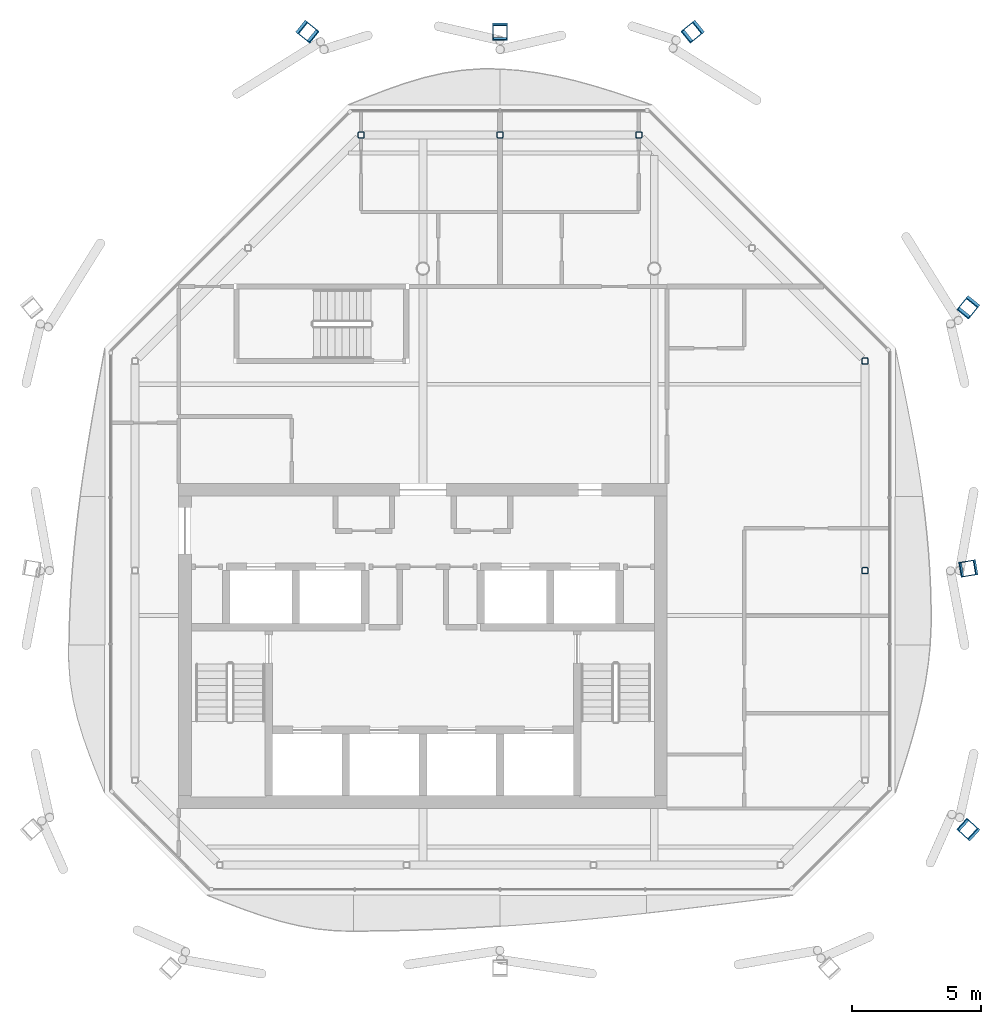
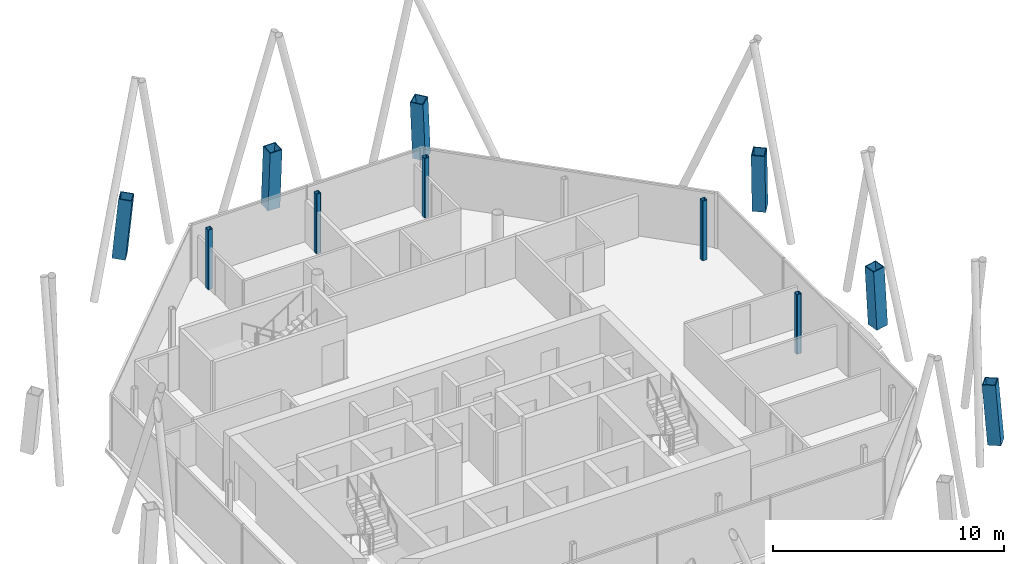
# One storey, part 2 of 14: 11 columns.
"""IFC4 building model written with IfcOpenShell, lengths in metres."""

from ifc_helpers import new_model, si_unit, direction, frame, origin, origin_2d, place, context, subcontext, project, spatial, hollow_rectangle, extrude, material, material_profile, profile_set, type_object, element, save


model = new_model("IFC4")

# Units and contexts
model_context = context("Model", 3, precision=1e-05, world=origin(), true_north=direction((0.0, 1.0)))
body_context = subcontext(model_context, "Body", "Model", "MODEL_VIEW")
ifc_project = project(units=[si_unit("LENGTHUNIT", "METRE"), si_unit("AREAUNIT", "SQUARE_METRE"), si_unit("VOLUMEUNIT", "CUBIC_METRE"), si_unit("PLANEANGLEUNIT", "RADIAN"), si_unit("MASSUNIT", "GRAM", prefix="KILO")], contexts=[model_context])

# Site, building, storey
site_placement = place(None, origin())
site = spatial("IfcSite", under=ifc_project, at=site_placement, CompositionType="ELEMENT")
building_placement = place(site_placement, origin())
building = spatial("IfcBuilding", under=site, at=building_placement, Name="Tskaro Facet Tower", CompositionType="ELEMENT")
storey_placement = place(building_placement, frame((0.0, 0.0, 287.85009765625)))
storey = spatial("IfcBuildingStorey", under=building, at=storey_placement, Name="L77", CompositionType="ELEMENT", Elevation=287.85009765625)

# Columns
ifc_material_1 = material(Name="Steel S355J2", Category="steel")
ifc_material_profile_1 = material_profile(ifc_material_1, hollow_rectangle(XDim=0.60009765625, YDim=0.60009765625, WallThickness=0.0400390625, at=origin_2d()), Name="BOX 600x600x40")
ifc_profile_set_1 = profile_set([ifc_material_profile_1], Name="Steel S355J2")
column_type_1 = type_object("IfcColumnType", Name="BOX 600x600x40 mega column", PredefinedType="COLUMN", material=ifc_profile_set_1)
column_1_placement = place(storey_placement, frame((21.25, -12.85400390625, 0.0), z_axis=(-0.057952390446, 0.052543500671, 0.996935655385), x_axis=(-0.671688891833, -0.74083333658, 0.0)))
element("IfcColumn", 1, at=column_1_placement, inside=storey, type_object=column_type_1, Name="BOX 600x600x40 MC04/6", PredefinedType="COLUMN", context=body_context, shape_type="SweptSolid", body=[
    extrude(hollow_rectangle(XDim=0.60009765625, YDim=0.60009765625, WallThickness=0.0400390625, at=origin_2d()), origin(), (0.0, 0.0, 1.0), 3.15966796875),
])
column_2_placement = place(storey_placement, frame((21.25, -2.659912109375, 0.0), z_axis=(-0.058029926409, -0.009516907931, 0.998269480704), x_axis=(0.161838042552, -0.986817332632, 0.0)))
element("IfcColumn", 2, at=column_2_placement, inside=storey, type_object=column_type_1, Name="BOX 600x600x40 MC05/6", PredefinedType="COLUMN", context=body_context, shape_type="SweptSolid", body=[
    extrude(hollow_rectangle(XDim=0.60009765625, YDim=0.60009765625, WallThickness=0.0400390625, at=origin_2d()), origin(), (0.0, 0.0, 1.0), 3.1552734375),
])
for number, where, z_axis, x_axis, name in (
    (3, (21.25, 7.533935546875, 0.0), (-0.057882880729, -0.071774772104, 0.99573990289), (0.778413039475, -0.62775245119, 0.0), "BOX 600x600x40 MC06/6"),
    (4, (10.533935546875, 18.25, 0.0), (-0.071774772104, -0.057882880729, 0.99573990289), (0.62775245119, -0.778413039475, 0.0), "BOX 600x600x40 MC07/6"),
):
    element("IfcColumn", number, at=place(storey_placement, frame(where, z_axis=z_axis, x_axis=x_axis)), inside=storey, type_object=column_type_1, Name=name, PredefinedType="COLUMN", context=body_context, shape_type="SweptSolid", body=[
        extrude(hollow_rectangle(XDim=0.60009765625, YDim=0.60009765625, WallThickness=0.0400390625, at=origin_2d()), origin(), (0.0, 0.0, 1.0), 3.163330078125),
    ])
column_3_placement = place(storey_placement, frame((3.0, 18.25, 0.0), z_axis=(0.0, -0.058032554517, 0.998314691175), x_axis=(1.0, 0.0, 0.0)))
element("IfcColumn", 5, at=column_3_placement, inside=storey, type_object=column_type_1, Name="BOX 600x600x40 MC08/6", PredefinedType="COLUMN", context=body_context, shape_type="SweptSolid", body=[
    extrude(hollow_rectangle(XDim=0.60009765625, YDim=0.60009765625, WallThickness=0.0400390625, at=origin_2d()), origin(), (0.0, 0.0, 1.0), 3.1552734375),
])
column_4_placement = place(storey_placement, frame((-4.533935546875, 18.25, 0.0), z_axis=(0.071774772104, -0.057882880729, 0.99573990289), x_axis=(0.62775245119, 0.778413039475, 0.0)))
element("IfcColumn", 6, at=column_4_placement, inside=storey, type_object=column_type_1, Name="BOX 600x600x40 MC09/6", PredefinedType="COLUMN", context=body_context, shape_type="SweptSolid", body=[
    extrude(hollow_rectangle(XDim=0.60009765625, YDim=0.60009765625, WallThickness=0.0400390625, at=origin_2d()), origin(), (0.0, 0.0, 1.0), 3.163330078125),
])
ifc_material_2 = material(Name="Steel S355J2H", Category="steel")
ifc_material_profile_2 = material_profile(ifc_material_2, hollow_rectangle(XDim=0.25, YDim=0.25, WallThickness=0.02001953125, InnerFilletRadius=0.030029296875, OuterFilletRadius=0.050048828125, at=origin_2d()), Name="SHS 250x250x20")
ifc_profile_set_2 = profile_set([ifc_material_profile_2], Name="Steel S355J2H")
column_type_2 = type_object("IfcColumnType", Name="SHS 250x250x20 ring column", PredefinedType="COLUMN", material=ifc_profile_set_2)
for number, where, z_axis, x_axis, name in (
    (7, (17.199951171875, -2.75, 0.0), (0.0, 0.0, 1.0), (1.0, 0.0, 0.0), "SHS 250x250x20 RE-2/6"),
    (8, (17.199951171875, 5.403076171875, 0.0), (0.0, 0.0, 1.0), (1.0, 0.0, 0.0), "SHS 250x250x20 RNE-1/6"),
    (9, (8.403076171875, 14.199951171875, 0.0), (0.0, 0.0, 1.0), (1.0, 0.0, 0.0), "SHS 250x250x20 RN-1/6"),
    (10, (3.0, 14.199951171875, 0.0), (0.0, 0.0, 1.0), (1.0, 0.0, 0.0), "SHS 250x250x20 RN-2/6"),
    (11, (-2.403076171875, 14.199951171875, 0.0), (0.0, 0.0, 1.0), (1.0, 0.0, 0.0), "SHS 250x250x20 RNW-1/6"),
):
    element("IfcColumn", number, at=place(storey_placement, frame(where, z_axis=z_axis, x_axis=x_axis)), inside=storey, type_object=column_type_2, Name=name, PredefinedType="COLUMN", context=body_context, shape_type="SweptSolid", body=[
        extrude(hollow_rectangle(XDim=0.25, YDim=0.25, WallThickness=0.02001953125, InnerFilletRadius=0.030029296875, OuterFilletRadius=0.050048828125, at=origin_2d()), origin(), (0.0, 0.0, 1.0), 3.14990234375),
    ])

save(model, "model.ifc")
